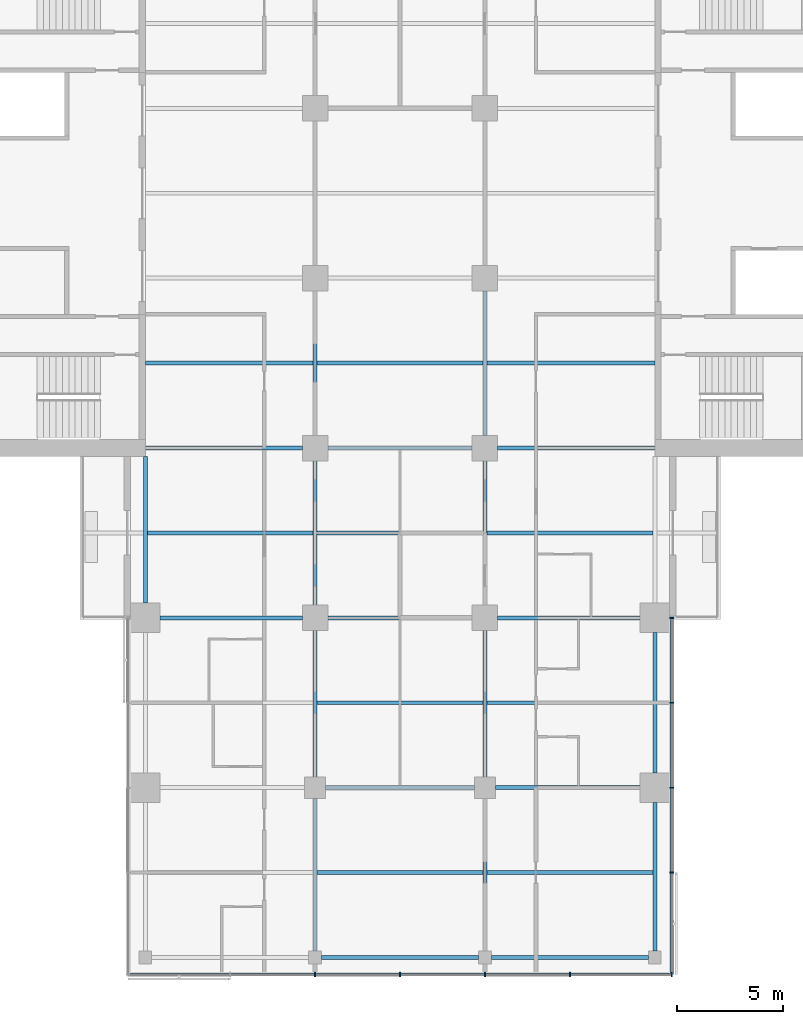
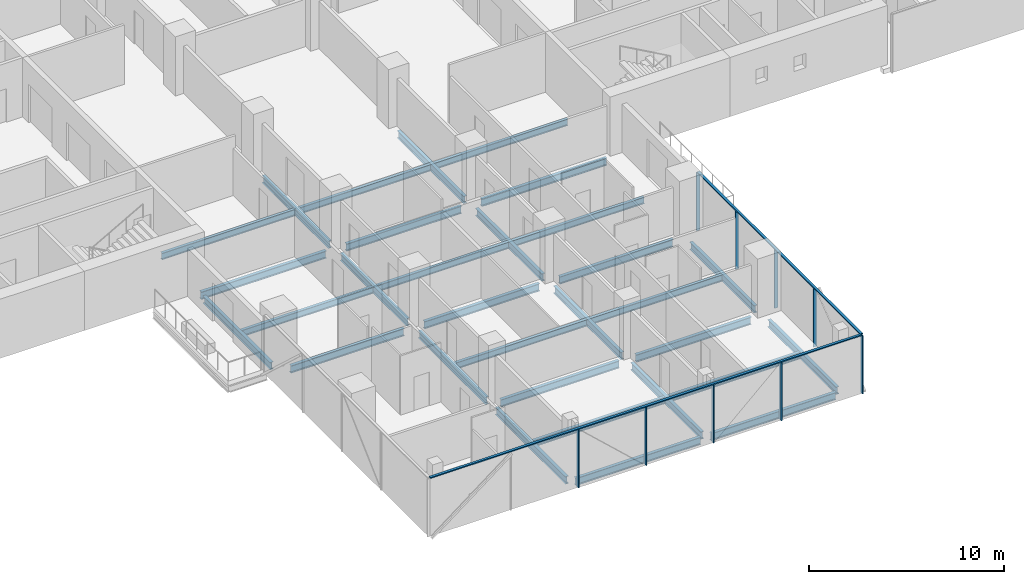
# One storey, part 4 of 27: 31 beams, 11 members, 2 elements without a shape of their own.
"""IFC4 building model written with IfcOpenShell, lengths in metres."""

from ifc_helpers import new_model, si_unit, direction, frame, origin, origin_2d, place, context, subcontext, project, spatial, rectangle, i_section, extrude, material, material_profile, profile_set, type_object, element, aggregate, save


model = new_model("IFC4")

# Units and contexts
model_context = context("Model", 3, precision=1e-05, world=origin(), true_north=direction((0.0, 1.0)))
body_context = subcontext(model_context, "Body", "Model", "MODEL_VIEW")
ifc_project = project(units=[si_unit("LENGTHUNIT", "METRE"), si_unit("AREAUNIT", "SQUARE_METRE"), si_unit("VOLUMEUNIT", "CUBIC_METRE"), si_unit("PLANEANGLEUNIT", "RADIAN"), si_unit("MASSUNIT", "GRAM", prefix="KILO")], contexts=[model_context])

# Site, building, storey
site_placement = place(None, origin())
site = spatial("IfcSite", under=ifc_project, at=site_placement, CompositionType="ELEMENT")
building_placement = place(site_placement, origin())
building = spatial("IfcBuilding", under=site, at=building_placement, Name="Crosswind Convention Tower", CompositionType="ELEMENT")
storey_placement = place(building_placement, frame((0.0, 0.0, 79.39990234375)))
storey = spatial("IfcBuildingStorey", under=building, at=storey_placement, Name="L14", CompositionType="ELEMENT", Elevation=79.39990234375)

# Beams
ifc_material_1 = material(Name="Steel S355", Category="steel")
ifc_material_profile_1 = material_profile(ifc_material_1, i_section(OverallWidth=0.1904296875, OverallDepth=0.457275390625, WebThickness=0.009033203125, FlangeThickness=0.014404296875, FilletRadius=0.01025390625, at=origin_2d()), Name="UB 457x191x75")
ifc_profile_set_1 = profile_set([ifc_material_profile_1], Name="Steel S355")
beam_type_1 = type_object("IfcBeamType", Name="Edge beam UB 457x191x75", PredefinedType="SPANDREL", material=ifc_profile_set_1)
beam_1_placement = place(storey_placement, frame((113.0, 80.699951171875, -0.508544921875), z_axis=(0.0, 1.0, 0.0), x_axis=(-1.0, 0.0, 0.0)))
element("IfcBeam", 1, at=beam_1_placement, inside=storey, type_object=beam_type_1, Name="B17 L14 edge beam 8", PredefinedType="SPANDREL", context=body_context, shape_type="SweptSolid", body=[
    extrude(i_section(OverallWidth=0.1904296875, OverallDepth=0.457275390625, WebThickness=0.009033203125, FlangeThickness=0.014404296875, FilletRadius=0.01025390625, at=origin_2d()), origin(), (0.0, 0.0, 1.0), 6.900146484375),
])
for number, where, z_axis, x_axis, name in (
    (2, (121.300048828125, 64.0, -0.508544921875), (1.0, 0.0, 0.0), (0.0, 1.0, 0.0), "B17 L14 edge beam 14"),
    (3, (129.300048828125, 64.0, -0.508544921875), (1.0, 0.0, 0.0), (0.0, 1.0, 0.0), "B17 L14 edge beam 16"),
):
    element("IfcBeam", number, at=place(storey_placement, frame(where, z_axis=z_axis, x_axis=x_axis)), inside=storey, type_object=beam_type_1, Name=name, PredefinedType="SPANDREL", context=body_context, shape_type="SweptSolid", body=[
        extrude(i_section(OverallWidth=0.1904296875, OverallDepth=0.457275390625, WebThickness=0.009033203125, FlangeThickness=0.014404296875, FilletRadius=0.01025390625, at=origin_2d()), origin(), (0.0, 0.0, 1.0), 7.39990234375),
    ])
beam_2_placement = place(storey_placement, frame((137.0, 64.300048828125, -0.508544921875), z_axis=(0.0, 1.0, 0.0), x_axis=(-1.0, 0.0, 0.0)))
element("IfcBeam", 4, at=beam_2_placement, inside=storey, type_object=beam_type_1, Name="B17 L14 edge beam 18", PredefinedType="SPANDREL", context=body_context, shape_type="SweptSolid", body=[
    extrude(i_section(OverallWidth=0.1904296875, OverallDepth=0.457275390625, WebThickness=0.009033203125, FlangeThickness=0.014404296875, FilletRadius=0.01025390625, at=origin_2d()), origin(), (0.0, 0.0, 1.0), 7.0),
])
beam_3_placement = place(storey_placement, frame((137.0, 72.699951171875, -0.508544921875), z_axis=(0.0, 1.0, 0.0), x_axis=(-1.0, 0.0, 0.0)))
element("IfcBeam", 5, at=beam_3_placement, inside=storey, type_object=beam_type_1, Name="B17 L14 edge beam 19", PredefinedType="SPANDREL", context=body_context, shape_type="SweptSolid", body=[
    extrude(i_section(OverallWidth=0.1904296875, OverallDepth=0.457275390625, WebThickness=0.009033203125, FlangeThickness=0.014404296875, FilletRadius=0.01025390625, at=origin_2d()), origin(), (0.0, 0.0, 1.0), 6.60009765625),
])
ifc_material_profile_2 = material_profile(ifc_material_1, i_section(OverallWidth=0.19140625, OverallDepth=0.460205078125, WebThickness=0.010009765625, FlangeThickness=0.01611328125, FilletRadius=0.01025390625, at=origin_2d()), Name="UB 457x191x82")
ifc_profile_set_2 = profile_set([ifc_material_profile_2], Name="Steel S355")
beam_type_2 = type_object("IfcBeamType", Name="Girder UB 457x191x82", PredefinedType="BEAM", material=ifc_profile_set_2)
beam_4_placement = place(storey_placement, frame((113.699951171875, 80.0, -0.510009765625), z_axis=(1.0, 0.0, 0.0), x_axis=(0.0, 1.0, 0.0)))
element("IfcBeam", 6, at=beam_4_placement, inside=storey, type_object=beam_type_2, Name="B3 L14 girder 2", PredefinedType="BEAM", context=body_context, shape_type="SweptSolid", body=[
    extrude(i_section(OverallWidth=0.19140625, OverallDepth=0.460205078125, WebThickness=0.010009765625, FlangeThickness=0.01611328125, FilletRadius=0.01025390625, at=origin_2d()), origin(), (0.0, 0.0, 1.0), 6.699951171875),
])
beam_5_placement = place(storey_placement, frame((121.0, 64.300048828125, -0.510009765625), z_axis=(0.0, 1.0, 0.0), x_axis=(-1.0, 0.0, 0.0)))
element("IfcBeam", 7, at=beam_5_placement, inside=storey, type_object=beam_type_2, Name="B3 L14 girder 5", PredefinedType="BEAM", context=body_context, shape_type="SweptSolid", body=[
    extrude(i_section(OverallWidth=0.19140625, OverallDepth=0.460205078125, WebThickness=0.010009765625, FlangeThickness=0.01611328125, FilletRadius=0.01025390625, at=origin_2d()), origin(), (0.0, 0.0, 1.0), 7.199951171875),
])
beam_6_placement = place(storey_placement, frame((121.0, 72.5, -0.510009765625), z_axis=(0.0, 1.0, 0.0), x_axis=(-1.0, 0.0, 0.0)))
element("IfcBeam", 8, at=beam_6_placement, inside=storey, type_object=beam_type_2, Name="B3 L14 girder 6", PredefinedType="BEAM", context=body_context, shape_type="SweptSolid", body=[
    extrude(i_section(OverallWidth=0.19140625, OverallDepth=0.460205078125, WebThickness=0.010009765625, FlangeThickness=0.01611328125, FilletRadius=0.01025390625, at=origin_2d()), origin(), (0.0, 0.0, 1.0), 6.89990234375),
])
for number, where, z_axis, x_axis, name in (
    (9, (121.0, 80.60009765625, -0.510009765625), (0.0, 1.0, 0.0), (-1.0, 0.0, 0.0), "B3 L14 girder 7"),
    (10, (121.0, 88.60009765625, -0.510009765625), (0.0, 1.0, 0.0), (-1.0, 0.0, 0.0), "B3 L14 girder 8"),
):
    element("IfcBeam", number, at=place(storey_placement, frame(where, z_axis=z_axis, x_axis=x_axis)), inside=storey, type_object=beam_type_2, Name=name, PredefinedType="BEAM", context=body_context, shape_type="SweptSolid", body=[
        extrude(i_section(OverallWidth=0.19140625, OverallDepth=0.460205078125, WebThickness=0.010009765625, FlangeThickness=0.01611328125, FilletRadius=0.01025390625, at=origin_2d()), origin(), (0.0, 0.0, 1.0), 6.7998046875),
    ])
beam_7_placement = place(storey_placement, frame((121.5, 72.0, -0.510009765625), z_axis=(1.0, 0.0, 0.0), x_axis=(0.0, 1.0, 0.0)))
element("IfcBeam", 11, at=beam_7_placement, inside=storey, type_object=beam_type_2, Name="B3 L14 girder 14", PredefinedType="BEAM", context=body_context, shape_type="SweptSolid", body=[
    extrude(i_section(OverallWidth=0.19140625, OverallDepth=0.460205078125, WebThickness=0.010009765625, FlangeThickness=0.01611328125, FilletRadius=0.01025390625, at=origin_2d()), origin(), (0.0, 0.0, 1.0), 7.0),
])
for number, where, z_axis, x_axis, name in (
    (12, (121.60009765625, 80.0, -0.510009765625), (1.0, 0.0, 0.0), (0.0, 1.0, 0.0), "B3 L14 girder 16"),
    (13, (121.60009765625, 88.0, -0.510009765625), (1.0, 0.0, 0.0), (0.0, 1.0, 0.0), "B3 L14 girder 17"),
):
    element("IfcBeam", number, at=place(storey_placement, frame(where, z_axis=z_axis, x_axis=x_axis)), inside=storey, type_object=beam_type_2, Name=name, PredefinedType="BEAM", context=body_context, shape_type="SweptSolid", body=[
        extrude(i_section(OverallWidth=0.19140625, OverallDepth=0.460205078125, WebThickness=0.010009765625, FlangeThickness=0.01611328125, FilletRadius=0.01025390625, at=origin_2d()), origin(), (0.0, 0.0, 1.0), 6.7998046875),
    ])
beam_8_placement = place(storey_placement, frame((129.0, 64.300048828125, -0.510009765625), z_axis=(0.0, 1.0, 0.0), x_axis=(-1.0, 0.0, 0.0)))
element("IfcBeam", 14, at=beam_8_placement, inside=storey, type_object=beam_type_2, Name="B3 L14 girder 22", PredefinedType="BEAM", context=body_context, shape_type="SweptSolid", body=[
    extrude(i_section(OverallWidth=0.19140625, OverallDepth=0.460205078125, WebThickness=0.010009765625, FlangeThickness=0.01611328125, FilletRadius=0.01025390625, at=origin_2d()), origin(), (0.0, 0.0, 1.0), 7.199951171875),
])
beam_9_placement = place(storey_placement, frame((129.0, 72.5, -0.510009765625), z_axis=(0.0, 1.0, 0.0), x_axis=(-1.0, 0.0, 0.0)))
element("IfcBeam", 15, at=beam_9_placement, inside=storey, type_object=beam_type_2, Name="B3 L14 girder 23", PredefinedType="BEAM", context=body_context, shape_type="SweptSolid", body=[
    extrude(i_section(OverallWidth=0.19140625, OverallDepth=0.460205078125, WebThickness=0.010009765625, FlangeThickness=0.01611328125, FilletRadius=0.01025390625, at=origin_2d()), origin(), (0.0, 0.0, 1.0), 6.89990234375),
])
for number, where, z_axis, x_axis, name in (
    (16, (129.0, 80.60009765625, -0.510009765625), (0.0, 1.0, 0.0), (-1.0, 0.0, 0.0), "B3 L14 girder 24"),
    (17, (129.0, 88.60009765625, -0.510009765625), (0.0, 1.0, 0.0), (-1.0, 0.0, 0.0), "B3 L14 girder 25"),
):
    element("IfcBeam", number, at=place(storey_placement, frame(where, z_axis=z_axis, x_axis=x_axis)), inside=storey, type_object=beam_type_2, Name=name, PredefinedType="BEAM", context=body_context, shape_type="SweptSolid", body=[
        extrude(i_section(OverallWidth=0.19140625, OverallDepth=0.460205078125, WebThickness=0.010009765625, FlangeThickness=0.01611328125, FilletRadius=0.01025390625, at=origin_2d()), origin(), (0.0, 0.0, 1.0), 6.7998046875),
    ])
beam_10_placement = place(storey_placement, frame((129.5, 72.0, -0.510009765625), z_axis=(1.0, 0.0, 0.0), x_axis=(0.0, 1.0, 0.0)))
element("IfcBeam", 18, at=beam_10_placement, inside=storey, type_object=beam_type_2, Name="B3 L14 girder 31", PredefinedType="BEAM", context=body_context, shape_type="SweptSolid", body=[
    extrude(i_section(OverallWidth=0.19140625, OverallDepth=0.460205078125, WebThickness=0.010009765625, FlangeThickness=0.01611328125, FilletRadius=0.01025390625, at=origin_2d()), origin(), (0.0, 0.0, 1.0), 6.800048828125),
])
beam_11_placement = place(storey_placement, frame((129.60009765625, 80.0, -0.510009765625), z_axis=(1.0, 0.0, 0.0), x_axis=(0.0, 1.0, 0.0)))
element("IfcBeam", 19, at=beam_11_placement, inside=storey, type_object=beam_type_2, Name="B3 L14 girder 33", PredefinedType="BEAM", context=body_context, shape_type="SweptSolid", body=[
    extrude(i_section(OverallWidth=0.19140625, OverallDepth=0.460205078125, WebThickness=0.010009765625, FlangeThickness=0.01611328125, FilletRadius=0.01025390625, at=origin_2d()), origin(), (0.0, 0.0, 1.0), 6.699951171875),
])
ifc_material_profile_3 = material_profile(ifc_material_1, i_section(OverallWidth=0.19189453125, OverallDepth=0.463623046875, WebThickness=0.010498046875, FlangeThickness=0.017578125, FilletRadius=0.01025390625, at=origin_2d()), Name="UB 457x191x90")
ifc_profile_set_3 = profile_set([ifc_material_profile_3], Name="Steel S355")
beam_type_3 = type_object("IfcBeamType", Name="Girder at core wall UB 457x191x90", PredefinedType="BEAM", material=ifc_profile_set_3)
for number, where, z_axis, x_axis, name in (
    (20, (113.0, 88.0, -0.51171875), (1.0, 0.0, 0.0), (0.0, 1.0, 0.0), "B24 L14 girder at core wall 3"),
    (21, (129.60009765625, 88.0, -0.51171875), (1.0, 0.0, 0.0), (0.0, 1.0, 0.0), "B24 L14 girder at core wall 7"),
):
    element("IfcBeam", number, at=place(storey_placement, frame(where, z_axis=z_axis, x_axis=x_axis)), inside=storey, type_object=beam_type_3, Name=name, PredefinedType="BEAM", context=body_context, shape_type="SweptSolid", body=[
        extrude(i_section(OverallWidth=0.19189453125, OverallDepth=0.463623046875, WebThickness=0.010498046875, FlangeThickness=0.017578125, FilletRadius=0.01025390625, at=origin_2d()), origin(), (0.0, 0.0, 1.0), 7.39990234375),
    ])

# Curtain wall, members
ifc_material_2 = material(Name="Aluminium unitised curtain wall", Category="aluminium")
curtain_wall_type = type_object("IfcCurtainWallType", Name="HOTEL UNITISED WALL 200", PredefinedType="USERDEFINED", material=ifc_material_2)
curtain_wall_1_placement = place(storey_placement, origin())
curtain_wall_1 = element("IfcCurtainWall", 22, at=curtain_wall_1_placement, inside=storey, type_object=curtain_wall_type, Name="CW2 L14 S-TIP 1", ObjectType="UNITISED", PredefinedType="USERDEFINED")
ifc_material_3 = material(Name="Aluminium mullion", Category="aluminium")
ifc_material_profile_4 = material_profile(ifc_material_3, rectangle(XDim=0.199951171875, YDim=0.06494140625, at=origin_2d()), Name="AL 200X65")
ifc_profile_set_4 = profile_set([ifc_material_profile_4], Name="Aluminium mullion")
member_type_1 = type_object("IfcMemberType", Name="MULLION 65X200", PredefinedType="MULLION", material=ifc_profile_set_4)
member_1_placement = place(storey_placement, frame((121.0, 63.199951171875, -0.27978515625), z_axis=(0.0, 0.0, 1.0), x_axis=(0.0, -1.0, 0.0)))
member_1 = element("IfcMember", 23, at=member_1_placement, type_object=member_type_1, Name="CW2 mullion 3", PredefinedType="MULLION", context=body_context, shape_type="SweptSolid", body=[
    extrude(rectangle(XDim=0.199951171875, YDim=0.06494140625, at=origin_2d()), origin(), (0.0, 0.0, 1.0), 3.634765625),
])
member_2_placement = place(storey_placement, frame((125.0, 63.199951171875, -0.27978515625), z_axis=(0.0, 0.0, 1.0), x_axis=(0.0, -1.0, 0.0)))
member_2 = element("IfcMember", 24, at=member_2_placement, type_object=member_type_1, Name="CW2 mullion 4", PredefinedType="MULLION", context=body_context, shape_type="SweptSolid", body=[
    extrude(rectangle(XDim=0.199951171875, YDim=0.06494140625, at=origin_2d()), origin(), (0.0, 0.0, 1.0), 3.634765625),
])
member_3_placement = place(storey_placement, frame((129.0, 63.199951171875, -0.27978515625), z_axis=(0.0, 0.0, 1.0), x_axis=(0.0, -1.0, 0.0)))
member_3 = element("IfcMember", 25, at=member_3_placement, type_object=member_type_1, Name="CW2 mullion 5", PredefinedType="MULLION", context=body_context, shape_type="SweptSolid", body=[
    extrude(rectangle(XDim=0.199951171875, YDim=0.06494140625, at=origin_2d()), origin(), (0.0, 0.0, 1.0), 3.634765625),
])
member_4_placement = place(storey_placement, frame((133.0, 63.199951171875, -0.27978515625), z_axis=(0.0, 0.0, 1.0), x_axis=(0.0, -1.0, 0.0)))
member_4 = element("IfcMember", 26, at=member_4_placement, type_object=member_type_1, Name="CW2 mullion 6", PredefinedType="MULLION", context=body_context, shape_type="SweptSolid", body=[
    extrude(rectangle(XDim=0.199951171875, YDim=0.06494140625, at=origin_2d()), origin(), (0.0, 0.0, 1.0), 3.634765625),
])
member_5_placement = place(storey_placement, frame((137.800048828125, 63.199951171875, -0.27978515625), z_axis=(0.0, 0.0, 1.0), x_axis=(0.0, -1.0, 0.0)))
member_5 = element("IfcMember", 27, at=member_5_placement, type_object=member_type_1, Name="CW2 mullion 7", PredefinedType="MULLION", context=body_context, shape_type="SweptSolid", body=[
    extrude(rectangle(XDim=0.199951171875, YDim=0.06494140625, at=origin_2d()), origin(), (0.0, 0.0, 1.0), 3.634765625),
])

curtain_wall_2_placement = place(storey_placement, origin())
curtain_wall_2 = element("IfcCurtainWall", 28, at=curtain_wall_2_placement, inside=storey, type_object=curtain_wall_type, Name="CW2 L14 S-E 1", ObjectType="UNITISED", PredefinedType="USERDEFINED")
member_6_placement = place(storey_placement, frame((137.800048828125, 68.0, -0.27978515625), z_axis=(0.0, 0.0, 1.0), x_axis=(1.0, 0.0, 0.0)))
member_6 = element("IfcMember", 29, at=member_6_placement, type_object=member_type_1, Name="CW2 mullion 2", PredefinedType="MULLION", context=body_context, shape_type="SweptSolid", body=[
    extrude(rectangle(XDim=0.199951171875, YDim=0.06494140625, at=origin_2d()), origin(), (0.0, 0.0, 1.0), 3.634765625),
])
member_7_placement = place(storey_placement, frame((137.800048828125, 72.0, -0.27978515625), z_axis=(0.0, 0.0, 1.0), x_axis=(1.0, 0.0, 0.0)))
member_7 = element("IfcMember", 30, at=member_7_placement, type_object=member_type_1, Name="CW2 mullion 3", PredefinedType="MULLION", context=body_context, shape_type="SweptSolid", body=[
    extrude(rectangle(XDim=0.199951171875, YDim=0.06494140625, at=origin_2d()), origin(), (0.0, 0.0, 1.0), 3.634765625),
])
member_8_placement = place(storey_placement, frame((137.800048828125, 76.0, -0.27978515625), z_axis=(0.0, 0.0, 1.0), x_axis=(1.0, 0.0, 0.0)))
member_8 = element("IfcMember", 31, at=member_8_placement, type_object=member_type_1, Name="CW2 mullion 4", PredefinedType="MULLION", context=body_context, shape_type="SweptSolid", body=[
    extrude(rectangle(XDim=0.199951171875, YDim=0.06494140625, at=origin_2d()), origin(), (0.0, 0.0, 1.0), 3.634765625),
])
member_9_placement = place(storey_placement, frame((137.800048828125, 80.0, -0.27978515625), z_axis=(0.0, 0.0, 1.0), x_axis=(1.0, 0.0, 0.0)))
member_9 = element("IfcMember", 32, at=member_9_placement, type_object=member_type_1, Name="CW2 mullion 5", PredefinedType="MULLION", context=body_context, shape_type="SweptSolid", body=[
    extrude(rectangle(XDim=0.199951171875, YDim=0.06494140625, at=origin_2d()), origin(), (0.0, 0.0, 1.0), 3.634765625),
])

# Beams
ifc_material_profile_5 = material_profile(ifc_material_1, i_section(OverallWidth=0.177734375, OverallDepth=0.406494140625, WebThickness=0.0078125, FlangeThickness=0.0126953125, FilletRadius=0.01025390625, at=origin_2d()), Name="UB 406x178x60")
ifc_profile_set_5 = profile_set([ifc_material_profile_5], Name="Steel S355")
beam_type_4 = type_object("IfcBeamType", Name="Secondary beam UB 406x178x60", PredefinedType="JOIST", material=ifc_profile_set_5)
beam_12_placement = place(storey_placement, frame((113.0, 92.0, -0.483154296875), z_axis=(1.0, 0.0, 0.0), x_axis=(0.0, 1.0, 0.0)))
element("IfcBeam", 33, at=beam_12_placement, inside=storey, type_object=beam_type_4, Name="B10 L14 secondary beam 4", PredefinedType="JOIST", context=body_context, shape_type="SweptSolid", body=[
    extrude(i_section(OverallWidth=0.177734375, OverallDepth=0.406494140625, WebThickness=0.0078125, FlangeThickness=0.0126953125, FilletRadius=0.01025390625, at=origin_2d()), origin(), (0.0, 0.0, 1.0), 7.904296875),
])
beam_13_placement = place(storey_placement, frame((113.09521484375, 84.0, -0.483154296875), z_axis=(1.0, 0.0, 0.0), x_axis=(0.0, 1.0, 0.0)))
element("IfcBeam", 34, at=beam_13_placement, inside=storey, type_object=beam_type_4, Name="B10 L14 secondary beam 9", PredefinedType="JOIST", context=body_context, shape_type="SweptSolid", body=[
    extrude(i_section(OverallWidth=0.177734375, OverallDepth=0.406494140625, WebThickness=0.0078125, FlangeThickness=0.0126953125, FilletRadius=0.01025390625, at=origin_2d()), origin(), (0.0, 0.0, 1.0), 7.80908203125),
])
for number, where, z_axis, x_axis, name in (
    (35, (121.095703125, 68.0, -0.483154296875), (1.0, 0.0, 0.0), (0.0, 1.0, 0.0), "B10 L14 secondary beam 13"),
    (36, (121.095703125, 76.0, -0.483154296875), (1.0, 0.0, 0.0), (0.0, 1.0, 0.0), "B10 L14 secondary beam 14"),
    (37, (121.095703125, 84.0, -0.483154296875), (1.0, 0.0, 0.0), (0.0, 1.0, 0.0), "B10 L14 secondary beam 15"),
    (38, (121.095703125, 92.0, -0.483154296875), (1.0, 0.0, 0.0), (0.0, 1.0, 0.0), "B10 L14 secondary beam 16"),
):
    element("IfcBeam", number, at=place(storey_placement, frame(where, z_axis=z_axis, x_axis=x_axis)), inside=storey, type_object=beam_type_4, Name=name, PredefinedType="JOIST", context=body_context, shape_type="SweptSolid", body=[
        extrude(i_section(OverallWidth=0.177734375, OverallDepth=0.406494140625, WebThickness=0.0078125, FlangeThickness=0.0126953125, FilletRadius=0.01025390625, at=origin_2d()), origin(), (0.0, 0.0, 1.0), 7.80859375),
    ])
for number, where, z_axis, x_axis, name in (
    (39, (129.095703125, 68.0, -0.483154296875), (1.0, 0.0, 0.0), (0.0, 1.0, 0.0), "B10 L14 secondary beam 22"),
    (40, (129.095703125, 76.0, -0.483154296875), (1.0, 0.0, 0.0), (0.0, 1.0, 0.0), "B10 L14 secondary beam 23"),
    (41, (129.095703125, 84.0, -0.483154296875), (1.0, 0.0, 0.0), (0.0, 1.0, 0.0), "B10 L14 secondary beam 24"),
):
    element("IfcBeam", number, at=place(storey_placement, frame(where, z_axis=z_axis, x_axis=x_axis)), inside=storey, type_object=beam_type_4, Name=name, PredefinedType="JOIST", context=body_context, shape_type="SweptSolid", body=[
        extrude(i_section(OverallWidth=0.177734375, OverallDepth=0.406494140625, WebThickness=0.0078125, FlangeThickness=0.0126953125, FilletRadius=0.01025390625, at=origin_2d()), origin(), (0.0, 0.0, 1.0), 7.80908203125),
    ])
beam_14_placement = place(storey_placement, frame((129.095703125, 92.0, -0.483154296875), z_axis=(1.0, 0.0, 0.0), x_axis=(0.0, 1.0, 0.0)))
element("IfcBeam", 42, at=beam_14_placement, inside=storey, type_object=beam_type_4, Name="B10 L14 secondary beam 25", PredefinedType="JOIST", context=body_context, shape_type="SweptSolid", body=[
    extrude(i_section(OverallWidth=0.177734375, OverallDepth=0.406494140625, WebThickness=0.0078125, FlangeThickness=0.0126953125, FilletRadius=0.01025390625, at=origin_2d()), origin(), (0.0, 0.0, 1.0), 7.904296875),
])

# Member
ifc_material_4 = material(Name="Aluminium transom", Category="aluminium")
ifc_material_profile_6 = material_profile(ifc_material_4, rectangle(XDim=0.14990234375, YDim=0.06494140625, at=origin_2d()), Name="AL 150X65")
ifc_profile_set_6 = profile_set([ifc_material_profile_6], Name="Aluminium transom")
member_type_2 = type_object("IfcMemberType", Name="TRANSOM 65X150", PredefinedType="USERDEFINED", material=ifc_profile_set_6)
member_10_placement = place(storey_placement, frame((112.232421875, 63.199951171875, 3.3876953125), z_axis=(1.0, 0.0, 0.0), x_axis=(0.0, 1.0, 0.0)))
member_10 = element("IfcMember", 43, at=member_10_placement, type_object=member_type_2, Name="CW2 transom", ObjectType="TRANSOM", PredefinedType="USERDEFINED", context=body_context, shape_type="SweptSolid", body=[
    extrude(rectangle(XDim=0.14990234375, YDim=0.06494140625, at=origin_2d()), origin(), (0.0, 0.0, 1.0), 25.53515625),
])

aggregate(curtain_wall_1, [member_1, member_2, member_3, member_4, member_5, member_10])

member_11_placement = place(storey_placement, frame((137.800048828125, 63.232421875, 3.3876953125), z_axis=(0.0, 1.0, 0.0), x_axis=(-1.0, 0.0, 0.0)))
member_11 = element("IfcMember", 44, at=member_11_placement, type_object=member_type_2, Name="CW2 transom", ObjectType="TRANSOM", PredefinedType="USERDEFINED", context=body_context, shape_type="SweptSolid", body=[
    extrude(rectangle(XDim=0.14990234375, YDim=0.06494140625, at=origin_2d()), origin(), (0.0, 0.0, 1.0), 16.735107421875),
])

aggregate(curtain_wall_2, [member_6, member_7, member_8, member_9, member_11])

save(model, "model.ifc")
